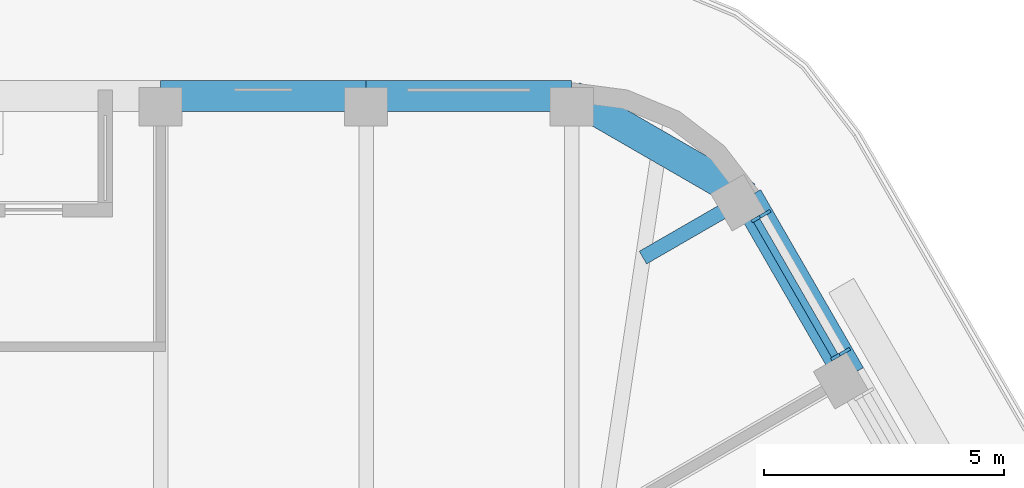
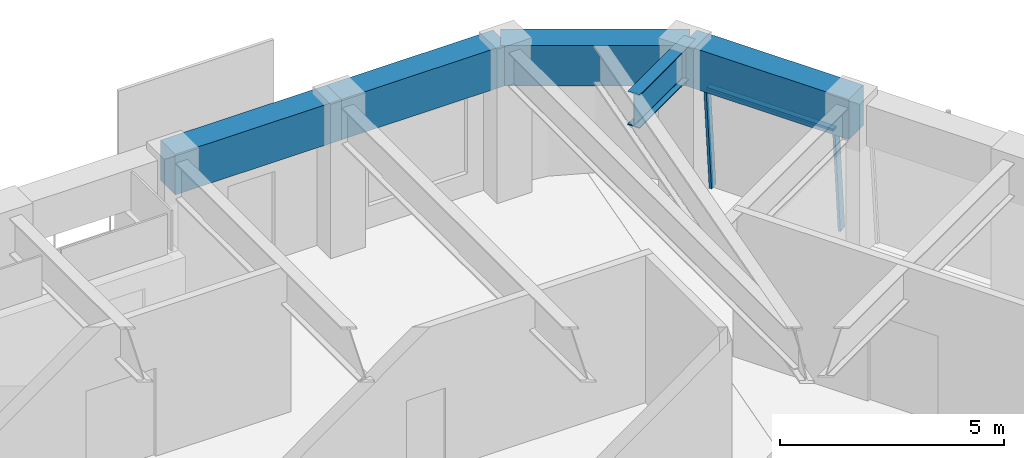
# One storey, part 11 of 19: 5 beams, 3 members, 1 element without a shape of its own.
"""IFC4 building model written with IfcOpenShell, lengths in metres."""

import ifcopenshell
import ifcopenshell.guid

model = None  # the IFC model being written
_history = None  # IfcOwnerHistory: only IFC2X3 demands one
_inside = {}  # id of a spatial element -> (the spatial element, [elements in it])
_under = {}  # id of a project, library or spatial element -> (it, [spatial elements below it])
_declared = {}  # id of a project -> (the project, [libraries it declares])
_typed = {}  # id of a type object -> (the type object, [elements of that type])
_made_of = {}  # id of a material, layer set ... -> (it, [elements and type objects made of it])


def new_model(schema):
    """Start an empty IFC model of exactly this schema.

    Asked for "IFC4X3", IfcOpenShell would pick the latest addendum, in which some entities
    have other attributes; the version numbers below select the first issue.
    IFC2X3 requires an IfcOwnerHistory on every rooted entity: one is made here for all.
    """
    global model, _history
    if schema == "IFC4X3":
        model = ifcopenshell.file(schema_version=(4, 3, 0, 0))
    else:
        model = ifcopenshell.file(schema=schema)
    _inside.clear()
    _under.clear()
    _declared.clear()
    _typed.clear()
    _made_of.clear()
    _history = None
    if model.schema == "IFC2X3":
        org = make("IfcOrganization", Name="unknown")
        user = make(
            "IfcPersonAndOrganization",
            ThePerson=make("IfcPerson", FamilyName="unknown"),
            TheOrganization=org,
        )
        app = make(
            "IfcApplication",
            ApplicationDeveloper=org,
            Version="unknown",
            ApplicationFullName="unknown",
            ApplicationIdentifier="unknown",
        )
        _history = make(
            "IfcOwnerHistory",
            OwningUser=user,
            OwningApplication=app,
            ChangeAction="ADDED",
            CreationDate=0,
        )
    return model


def make(cls, **values):
    """One entity of the class cls with the attributes given. An attribute that is None is left unset."""
    return model.create_entity(
        cls, **{name: value for name, value in values.items() if value is not None}
    )


def rooted(cls, **values):
    """An entity with a GlobalId (a new one), such as an element, a storey or a relation."""
    return make(cls, GlobalId=ifcopenshell.guid.new(), OwnerHistory=_history, **values)


def si_unit(unit_type, name, prefix=None):
    """IfcSIUnit, for example si_unit("LENGTHUNIT", "METRE", prefix="MILLI")."""
    return make("IfcSIUnit", UnitType=unit_type, Prefix=prefix, Name=name)


def assignment(units):
    """IfcUnitAssignment: the units of a project."""
    return None if units is None else make("IfcUnitAssignment", Units=units)


def point(xyz):
    """IfcCartesianPoint."""
    return None if xyz is None else make("IfcCartesianPoint", Coordinates=xyz)


def direction(xyz):
    """IfcDirection."""
    return None if xyz is None else make("IfcDirection", DirectionRatios=xyz)


def frame(location, z_axis=None, x_axis=None):
    """IfcAxis2Placement3D, a coordinate frame: its origin and axes. An axis left out is left unset."""
    return make(
        "IfcAxis2Placement3D",
        Location=point(location),
        Axis=direction(z_axis),
        RefDirection=direction(x_axis),
    )


def frame_2d(location, x_axis=None):
    """IfcAxis2Placement2D, a coordinate frame in the plane: its origin and x axis."""
    return make(
        "IfcAxis2Placement2D", Location=point(location), RefDirection=direction(x_axis)
    )


def origin():
    """The frame at (0, 0, 0) with its axes left unset."""
    return frame((0.0, 0.0, 0.0))


def origin_2d():
    """The frame at (0, 0) in the plane with its x axis left unset."""
    return frame_2d((0.0, 0.0))


def place(relative_to, where):
    """IfcLocalPlacement: puts the frame where relative to a parent placement (None: the world)."""
    return make(
        "IfcLocalPlacement", PlacementRelTo=relative_to, RelativePlacement=where
    )


def context(
    kind, dimensions, precision=None, world=None, true_north=None, identifier=None
):
    """IfcGeometricRepresentationContext, for example the 3D "Model" context."""
    return make(
        "IfcGeometricRepresentationContext",
        ContextIdentifier=identifier,
        ContextType=kind,
        CoordinateSpaceDimension=dimensions,
        Precision=precision,
        WorldCoordinateSystem=world,
        TrueNorth=true_north,
    )


def subcontext(parent, identifier, kind, view, scale=None):
    """IfcGeometricRepresentationSubContext, for example "Body" below "Model"."""
    return make(
        "IfcGeometricRepresentationSubContext",
        ContextIdentifier=identifier,
        ContextType=kind,
        ParentContext=parent,
        TargetScale=scale,
        TargetView=view,
    )


def project(units=None, contexts=None):
    """IfcProject with its units and contexts."""
    return rooted(
        "IfcProject",
        Name="project",
        RepresentationContexts=contexts,
        UnitsInContext=assignment(units),
    )


def spatial(cls, under=None, at=None, **own):
    """A site, building, storey or space (cls), placed at a placement, below another one or the project."""
    s = rooted(cls, ObjectPlacement=at, **own)
    if under is not None:
        _under.setdefault(under.id(), (under, []))[1].append(s)
    return s


def profile(cls, at=None, kind="AREA", **sizes):
    """A parametric profile (cls). Its sizes go by their IFC names, for example OverallWidth=200.0."""
    return make(cls, ProfileType=kind, Position=at, **sizes)


def rectangle(**sizes):
    """IfcRectangleProfileDef."""
    return profile("IfcRectangleProfileDef", **sizes)


def i_section(**sizes):
    """IfcIShapeProfileDef."""
    return profile("IfcIShapeProfileDef", **sizes)


def extrude(swept, where, along, depth):
    """IfcExtrudedAreaSolid: the profile swept, set in the frame where, extruded along a direction by depth."""
    return make(
        "IfcExtrudedAreaSolid",
        SweptArea=swept,
        Position=where,
        ExtrudedDirection=direction(along),
        Depth=depth,
    )


def shape(context_of_items, identifier, shape_type, items):
    """IfcShapeRepresentation: the items that make up one representation, for example the "Body"."""
    return make(
        "IfcShapeRepresentation",
        ContextOfItems=context_of_items,
        RepresentationIdentifier=identifier,
        RepresentationType=shape_type,
        Items=items,
    )


def material(Name=None, Category=None):
    """IfcMaterial."""
    return make("IfcMaterial", Name=Name, Category=Category)


def material_profile(
    of_material, cross_section, Name=None, Category=None, Priority=None
):
    """IfcMaterialProfile: a cross section and its material."""
    return make(
        "IfcMaterialProfile",
        Name=Name,
        Material=of_material,
        Profile=cross_section,
        Priority=Priority,
        Category=Category,
    )


def profile_set(profiles, Name=None, composite=None):
    """IfcMaterialProfileSet."""
    return make(
        "IfcMaterialProfileSet",
        Name=Name,
        MaterialProfiles=profiles,
        CompositeProfile=composite,
    )


def made_of(thing, what):
    """Note that an element or type object is made of a material, layer set ...; save() writes the relation."""
    if what is not None:
        _made_of.setdefault(what.id(), (what, []))[1].append(thing)
    return thing


def type_object(cls, material=None, **own):
    """A type object (cls), such as IfcWallType, which elements share."""
    return made_of(rooted(cls, **own), material)


def element(
    cls,
    number,
    at=None,
    inside=None,
    cuts=None,
    type_object=None,
    material=None,
    context=None,
    identifier="Body",
    shape_type=None,
    held_by="IfcProductDefinitionShape",
    body=None,
    shapes=None,
    **own,
):
    """One element of the class cls, such as IfcWall. Its Tag is "e" and its number.

    at: its placement. inside: the storey or other place that contains it. cuts: it is an
    opening in that element (IfcRelVoidsElement). A single representation is given by context,
    identifier, shape_type and body (its items); several are given by shapes. held_by: the class
    of the entity that holds the representations. save() writes the other relations.
    """
    e = rooted(cls, Tag="e%d" % number, ObjectPlacement=at, **own)
    if body is not None:
        shapes = [shape(context, identifier, shape_type, body)]
    if shapes is not None:
        e.Representation = make(held_by, Representations=shapes)
    if inside is not None:
        _inside.setdefault(inside.id(), (inside, []))[1].append(e)
    if cuts is not None:
        rooted(
            "IfcRelVoidsElement", RelatingBuildingElement=cuts, RelatedOpeningElement=e
        )
    if type_object is not None:
        _typed.setdefault(type_object.id(), (type_object, []))[1].append(e)
    return made_of(e, material)


def aggregate(whole, parts):
    """IfcRelAggregates: a whole, such as a stair, and the parts it consists of."""
    return rooted("IfcRelAggregates", RelatingObject=whole, RelatedObjects=parts)


def save(model, path):
    """Write the relations noted so far, then the file.

    IfcRelAggregates (storeys below a building ...), IfcRelContainedInSpatialStructure (elements
    in a storey), IfcRelDefinesByType, IfcRelAssociatesMaterial and IfcRelDeclares: one each for
    every whole, place, type object, material and project.
    """
    for whole, parts in _under.values():
        aggregate(whole, parts)
    for where, things in _inside.values():
        rooted(
            "IfcRelContainedInSpatialStructure",
            RelatedElements=things,
            RelatingStructure=where,
        )
    for kind, things in _typed.values():
        rooted("IfcRelDefinesByType", RelatedObjects=things, RelatingType=kind)
    for what, things in _made_of.values():
        rooted("IfcRelAssociatesMaterial", RelatedObjects=things, RelatingMaterial=what)
    for by, libraries in _declared.values():
        rooted("IfcRelDeclares", RelatingContext=by, RelatedDefinitions=libraries)
    model.write(path)


model = new_model("IFC4")

# Units and contexts
model_context = context("Model", 3, precision=1e-05, world=origin(), true_north=direction((0.0, 1.0)))
body_context = subcontext(model_context, "Body", "Model", "MODEL_VIEW")
ifc_project = project(units=[si_unit("LENGTHUNIT", "METRE"), si_unit("AREAUNIT", "SQUARE_METRE"), si_unit("VOLUMEUNIT", "CUBIC_METRE"), si_unit("PLANEANGLEUNIT", "RADIAN"), si_unit("MASSUNIT", "GRAM", prefix="KILO")], contexts=[model_context])

# Site, building, storey
site_placement = place(None, origin())
site = spatial("IfcSite", under=ifc_project, at=site_placement, CompositionType="ELEMENT")
building_placement = place(site_placement, origin())
building = spatial("IfcBuilding", under=site, at=building_placement, Name="Tarfa Lantern Tower", CompositionType="ELEMENT")
storey_placement = place(building_placement, frame((0.0, 0.0, 357.699951171875)))
storey = spatial("IfcBuildingStorey", under=building, at=storey_placement, Name="L81", CompositionType="ELEMENT", Elevation=357.699951171875)

# Curtain wall, members
ifc_material_1 = material(Name="Aluminium framed curtain wall", Category="aluminium")
curtain_wall_type = type_object("IfcCurtainWallType", Name="CW4 CANTED GLAZING EXECUTIVE ZONE 2900", PredefinedType="USERDEFINED", material=ifc_material_1)
curtain_wall_placement = place(storey_placement, origin())
curtain_wall = element("IfcCurtainWall", 1, at=curtain_wall_placement, inside=storey, type_object=curtain_wall_type, Name="CW4 NE L81", ObjectType="CURTAIN WALL", PredefinedType="USERDEFINED")
ifc_material_2 = material(Name="Aluminium mullion", Category="aluminium")
ifc_material_profile_1 = material_profile(ifc_material_2, rectangle(XDim=0.06494140625, YDim=0.199951171875, at=origin_2d()), Name="AL MULLION 65x200")
ifc_profile_set_1 = profile_set([ifc_material_profile_1], Name="Aluminium mullion")
member_type_1 = type_object("IfcMemberType", Name="CWM1 MULLION 65x200", PredefinedType="MULLION", material=ifc_profile_set_1)
member_1_placement = place(storey_placement, frame((18.556396484375, 21.159423828125, 0.0), z_axis=(-0.074393603155, -0.042941967097, 0.996303959277), x_axis=(0.499919672301, -0.866071776036, 0.0)))
member_1 = element("IfcMember", 2, at=member_1_placement, type_object=member_type_1, Name="CW4 mullion 1", PredefinedType="MULLION", context=body_context, shape_type="SweptSolid", body=[
    extrude(rectangle(XDim=0.06494140625, YDim=0.199951171875, at=origin_2d()), origin(), (0.0, 0.0, 1.0), 2.910888671875),
])
member_2_placement = place(storey_placement, frame((16.897705078125, 24.0322265625, 0.0), z_axis=(-0.074310195522, -0.042942234884, 0.996310172238), x_axis=(0.500342721131, -0.865827443207, 0.0)))
member_2 = element("IfcMember", 3, at=member_2_placement, type_object=member_type_1, Name="CW4 mullion 2", PredefinedType="MULLION", context=body_context, shape_type="SweptSolid", body=[
    extrude(rectangle(XDim=0.06494140625, YDim=0.199951171875, at=origin_2d()), origin(), (0.0, 0.0, 1.0), 2.910888671875),
])
ifc_material_3 = material(Name="Aluminium transom", Category="aluminium")
ifc_material_profile_2 = material_profile(ifc_material_3, rectangle(XDim=0.14990234375, YDim=0.06494140625, at=origin_2d()), Name="AL TRANSOM 150x65")
ifc_profile_set_2 = profile_set([ifc_material_profile_2], Name="Aluminium transom")
member_type_2 = type_object("IfcMemberType", Name="CWT1 TRANSOM 150x65", PredefinedType="USERDEFINED", material=ifc_profile_set_2)
member_3_placement = place(storey_placement, frame((18.325927734375, 21.06396484375, 2.867431640625), z_axis=(-0.499982393232, 0.866035568818, 0.0), x_axis=(-0.866035568818, -0.499982393232, 0.0)))
member_3 = element("IfcMember", 4, at=member_3_placement, type_object=member_type_2, Name="CW4 transom 1.2", ObjectType="TRANSOM", PredefinedType="USERDEFINED", context=body_context, shape_type="SweptSolid", body=[
    extrude(rectangle(XDim=0.14990234375, YDim=0.06494140625, at=origin_2d()), origin(), (0.0, 0.0, 1.0), 3.251953125),
])
aggregate(curtain_wall, [member_1, member_2, member_3])

# Beams
ifc_material_4 = material(Name="Concrete C80/95", Category="concrete")
ifc_material_profile_3 = material_profile(ifc_material_4, rectangle(XDim=0.64990234375, YDim=1.10009765625, at=origin_2d()), Name="RC 650x1100")
ifc_profile_set_3 = profile_set([ifc_material_profile_3], Name="Concrete C80/95")
beam_type_1 = type_object("IfcBeamType", Name="EB4 RC 650x1100", PredefinedType="SPANDREL", material=ifc_profile_set_3)
beam_1_placement = place(storey_placement, frame((18.6416015625, 20.651611328125, 3.449951171875), z_axis=(-0.499959351497, 0.866048870937, 0.0), x_axis=(-0.866048870937, -0.499959351497, 0.0)))
element("IfcBeam", 5, at=beam_1_placement, inside=storey, type_object=beam_type_1, Name="Edge beam NE5", PredefinedType="SPANDREL", context=body_context, shape_type="SweptSolid", body=[
    extrude(rectangle(XDim=0.64990234375, YDim=1.10009765625, at=origin_2d()), origin(), (0.0, 0.0, 1.0), 4.281982421875),
])
beam_2_placement = place(storey_placement, frame((16.500732421875, 24.360107421875, 3.449951171875), z_axis=(-0.866048788483, 0.499959494327, 0.0), x_axis=(-0.499959494327, -0.866048788483, 0.0)))
element("IfcBeam", 6, at=beam_2_placement, inside=storey, type_object=beam_type_1, Name="Edge beam NE6", PredefinedType="SPANDREL", context=body_context, shape_type="SweptSolid", body=[
    extrude(rectangle(XDim=0.64990234375, YDim=1.10009765625, at=origin_2d()), origin(), (0.0, 0.0, 1.0), 4.219970703125),
])
for number, where, z_axis, x_axis, name in (
    (7, (12.845947265625, 26.469970703125, 3.449951171875), (-1.0, 0.0, 0.0), (0.0, -1.0, 0.0), "Edge beam N0"),
    (8, (8.56396484375, 26.469970703125, 3.449951171875), (-1.0, 0.0, 0.0), (0.0, -1.0, 0.0), "Edge beam N1"),
):
    element("IfcBeam", number, at=place(storey_placement, frame(where, z_axis=z_axis, x_axis=x_axis)), inside=storey, type_object=beam_type_1, Name=name, PredefinedType="SPANDREL", context=body_context, shape_type="SweptSolid", body=[
        extrude(rectangle(XDim=0.64990234375, YDim=1.10009765625, at=origin_2d()), origin(), (0.0, 0.0, 1.0), 4.281982421875),
    ])
ifc_material_5 = material(Name="Steel S460M", Category="steel")
ifc_material_profile_4 = material_profile(ifc_material_5, i_section(OverallWidth=0.305419921875, OverallDepth=0.91845703125, WebThickness=0.017333984375, FlangeThickness=0.02783203125, FilletRadius=0.01904296875, at=origin_2d()), Name="UB914x305x253")
ifc_profile_set_4 = profile_set([ifc_material_profile_4], Name="Steel S460M")
beam_type_2 = type_object("IfcBeamType", Name="UB914x305x253", PredefinedType="BEAM", material=ifc_profile_set_4)
beam_3_placement = place(storey_placement, frame((16.500732421875, 24.360107421875, 3.540771484375), z_axis=(-0.865992557167, -0.500056887695, 0.0), x_axis=(0.500056887695, -0.865992557167, 0.0)))
element("IfcBeam", 9, at=beam_3_placement, inside=storey, type_object=beam_type_2, Name="Floor beam NE6", PredefinedType="BEAM", context=body_context, shape_type="SweptSolid", body=[
    extrude(i_section(OverallWidth=0.305419921875, OverallDepth=0.91845703125, WebThickness=0.017333984375, FlangeThickness=0.02783203125, FilletRadius=0.01904296875, at=origin_2d()), origin(), (0.0, 0.0, 1.0), 2.506591796875),
])

save(model, "model.ifc")
